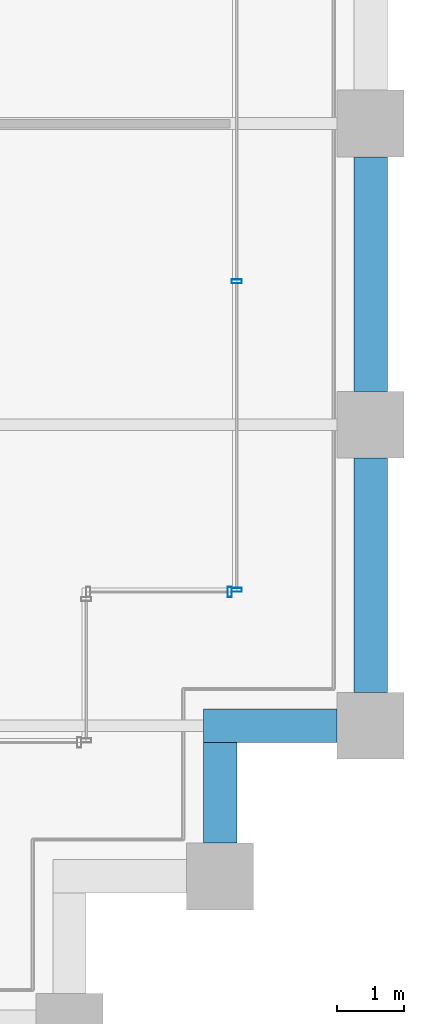
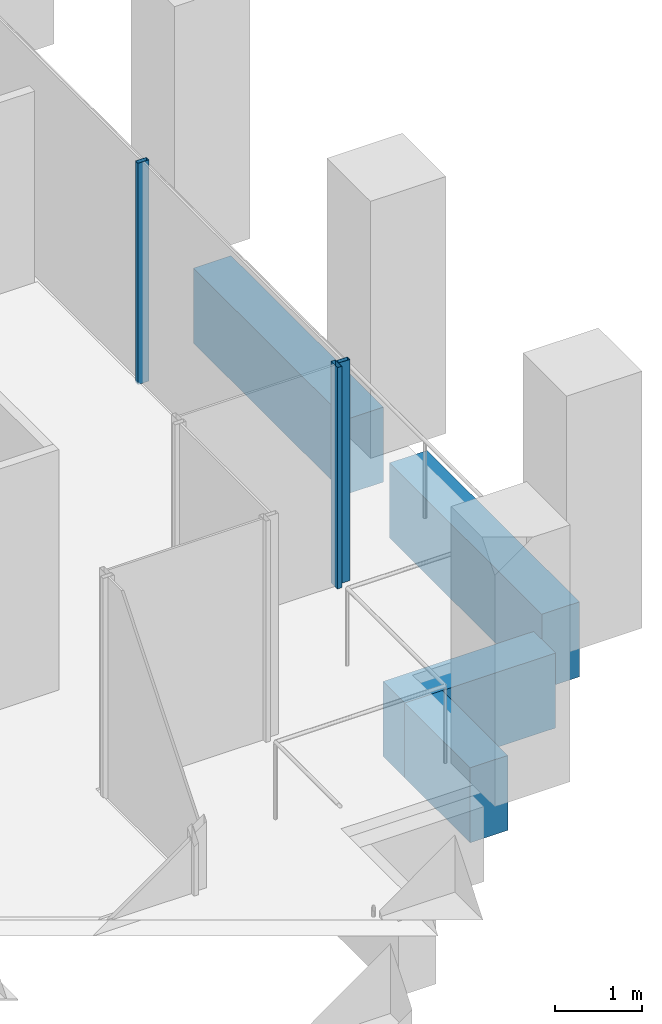
# One storey, part 37 of 46: 4 beams, 3 members, 2 elements without a shape of their own.
"""IFC4 building model written with IfcOpenShell, lengths in metres."""

from ifc_helpers import new_model, si_unit, direction, frame, origin, origin_2d, place, context, subcontext, project, spatial, rectangle, hollow_rectangle, extrude, material, material_profile, profile_set, type_object, element, aggregate, save


model = new_model("IFC4")

# Units and contexts
model_context = context("Model", 3, precision=1e-05, world=origin(), true_north=direction((0.0, 1.0)))
body_context = subcontext(model_context, "Body", "Model", "MODEL_VIEW")
ifc_project = project(units=[si_unit("LENGTHUNIT", "METRE"), si_unit("AREAUNIT", "SQUARE_METRE"), si_unit("VOLUMEUNIT", "CUBIC_METRE"), si_unit("PLANEANGLEUNIT", "RADIAN"), si_unit("MASSUNIT", "GRAM", prefix="KILO")], contexts=[model_context])

# Site, building, storey
site_placement = place(None, origin())
site = spatial("IfcSite", under=ifc_project, at=site_placement, CompositionType="ELEMENT")
building_placement = place(site_placement, origin())
building = spatial("IfcBuilding", under=site, at=building_placement, Name="Altepetl Exchange Towers", CompositionType="ELEMENT")
storey_placement = place(building_placement, frame((0.0, 0.0, 135.199951171875)))
storey = spatial("IfcBuildingStorey", under=building, at=storey_placement, Name="L33", CompositionType="ELEMENT", Elevation=135.199951171875)

# Curtain wall, member
ifc_material_1 = material(Name="Aluminium 6063-T6 glazing", Category="aluminium")
curtain_wall_type = type_object("IfcCurtainWallType", Name="Loggia glazing system", PredefinedType="NOTDEFINED", material=ifc_material_1)
curtain_wall_1_placement = place(storey_placement, origin())
curtain_wall_1 = element("IfcCurtainWall", 1, at=curtain_wall_1_placement, inside=storey, type_object=curtain_wall_type, Name="CW1 run", PredefinedType="NOTDEFINED")
ifc_material_2 = material(Name="Aluminium 6063-T6", Category="aluminium")
ifc_material_profile_1 = material_profile(ifc_material_2, hollow_rectangle(XDim=0.06005859375, YDim=0.14990234375, WallThickness=0.0029296875, at=origin_2d()), Name="Mullion 60x150 aluminium")
ifc_profile_set_1 = profile_set([ifc_material_profile_1], Name="Aluminium 6063-T6")
member_type = type_object("IfcMemberType", Name="Mullion 60x150 aluminium", PredefinedType="MULLION", material=ifc_profile_set_1)
member_1_placement = place(storey_placement, frame((123.89501953125, 33.5, 0.0)))
member_1 = element("IfcMember", 2, at=member_1_placement, type_object=member_type, Name="MU1 mullion", PredefinedType="MULLION", context=body_context, shape_type="SweptSolid", body=[
    extrude(hollow_rectangle(XDim=0.06005859375, YDim=0.14990234375, WallThickness=0.0029296875, at=origin_2d()), origin(), (0.0, 0.0, 1.0), 3.10009765625),
])
aggregate(curtain_wall_1, [member_1])

# Curtain wall, members
curtain_wall_2_placement = place(storey_placement, origin())
curtain_wall_2 = element("IfcCurtainWall", 3, at=curtain_wall_2_placement, inside=storey, type_object=curtain_wall_type, Name="CW1 run", PredefinedType="NOTDEFINED")
member_2_placement = place(storey_placement, frame((124.0, 33.530029296875, 0.0), z_axis=(0.0, 0.0, 1.0), x_axis=(0.0, 1.0, 0.0)))
member_2 = element("IfcMember", 4, at=member_2_placement, type_object=member_type, Name="MU1 mullion", PredefinedType="MULLION", context=body_context, shape_type="SweptSolid", body=[
    extrude(hollow_rectangle(XDim=0.06005859375, YDim=0.14990234375, WallThickness=0.0029296875, at=origin_2d()), origin(), (0.0, 0.0, 1.0), 3.10009765625),
])
member_3_placement = place(storey_placement, frame((124.0, 38.1416015625, 0.0), z_axis=(0.0, 0.0, 1.0), x_axis=(0.0, 1.0, 0.0)))
member_3 = element("IfcMember", 5, at=member_3_placement, type_object=member_type, Name="MU1 mullion", PredefinedType="MULLION", context=body_context, shape_type="SweptSolid", body=[
    extrude(hollow_rectangle(XDim=0.06005859375, YDim=0.14990234375, WallThickness=0.0029296875, at=origin_2d()), origin(), (0.0, 0.0, 1.0), 3.10009765625),
])
aggregate(curtain_wall_2, [member_2, member_3])

# Beams
ifc_material_3 = material(Name="Concrete C50/60 precast with cantera blanca facing", Category="concrete")
ifc_material_profile_2 = material_profile(ifc_material_3, rectangle(XDim=0.5, YDim=1.050048828125, at=origin_2d()), Name="500 x 1050")
ifc_profile_set_2 = profile_set([ifc_material_profile_2], Name="Concrete C50/60 precast with cantera blanca facing")
beam_type = type_object("IfcBeamType", Name="Spandrel beam 500x1050 cantera blanca", PredefinedType="SPANDREL", material=ifc_profile_set_2)
beam_1_placement = place(storey_placement, frame((123.75, 29.75, -0.675048828125), z_axis=(0.0, 1.0, 0.0), x_axis=(-1.0, 0.0, 0.0)))
element("IfcBeam", 6, at=beam_1_placement, inside=storey, type_object=beam_type, Name="sp:B:L33:007", PredefinedType="SPANDREL", context=body_context, shape_type="SweptSolid", body=[
    extrude(rectangle(XDim=0.5, YDim=1.050048828125, at=origin_2d()), origin(), (0.0, 0.0, 1.0), 1.5),
])
beam_2_placement = place(storey_placement, frame((123.5, 31.5, -0.675048828125), z_axis=(1.0, 0.0, 0.0), x_axis=(0.0, 1.0, 0.0)))
element("IfcBeam", 7, at=beam_2_placement, inside=storey, type_object=beam_type, Name="sp:B:L33:008", PredefinedType="SPANDREL", context=body_context, shape_type="SweptSolid", body=[
    extrude(rectangle(XDim=0.5, YDim=1.050048828125, at=origin_2d()), origin(), (0.0, 0.0, 1.0), 2.0),
])
for number, where, z_axis, x_axis, name in (
    (8, (126.0, 32.0, -0.675048828125), (0.0, 1.0, 0.0), (-1.0, 0.0, 0.0), "sp:B:L33:009"),
    (9, (126.0, 36.5, -0.675048828125), (0.0, 1.0, 0.0), (-1.0, 0.0, 0.0), "sp:B:L33:010"),
):
    element("IfcBeam", number, at=place(storey_placement, frame(where, z_axis=z_axis, x_axis=x_axis)), inside=storey, type_object=beam_type, Name=name, PredefinedType="SPANDREL", context=body_context, shape_type="SweptSolid", body=[
        extrude(rectangle(XDim=0.5, YDim=1.050048828125, at=origin_2d()), origin(), (0.0, 0.0, 1.0), 3.5),
    ])

save(model, "model.ifc")
